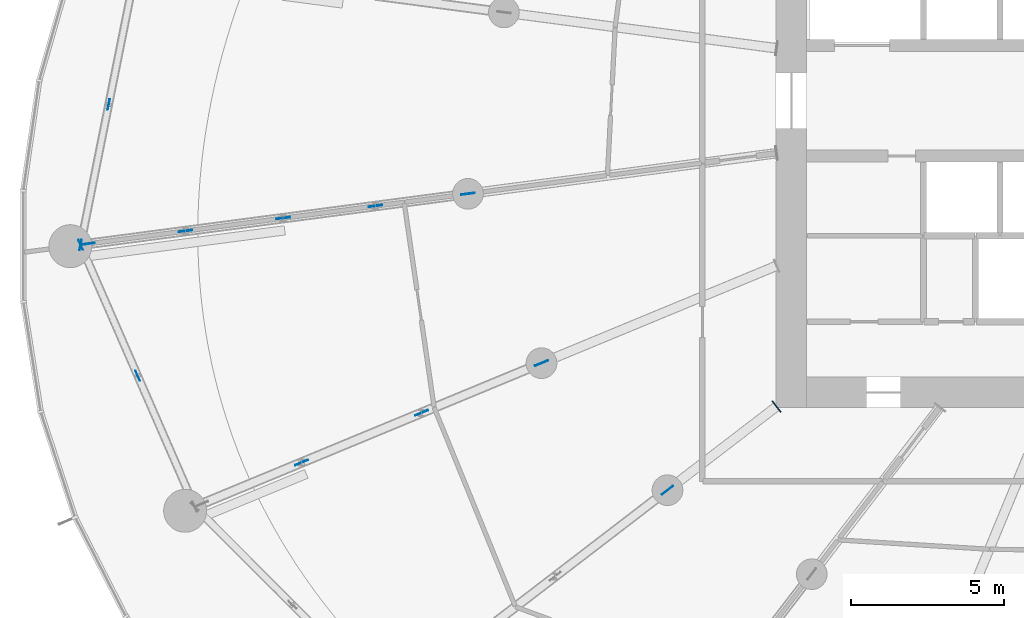
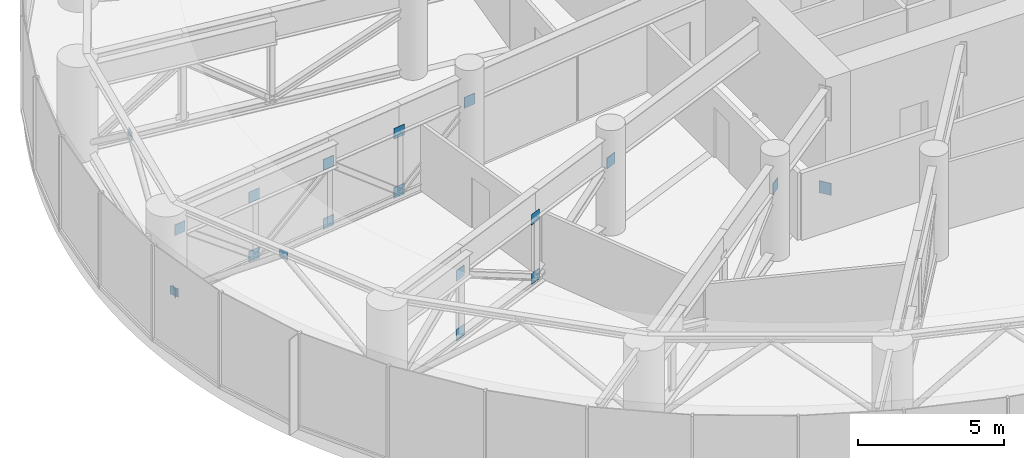
# One storey, part 28 of 42: 19 discrete accessories.
"""IFC4 building model written with IfcOpenShell, lengths in metres."""

import ifcopenshell
import ifcopenshell.guid

model = None  # the IFC model being written
_history = None  # IfcOwnerHistory: only IFC2X3 demands one
_inside = {}  # id of a spatial element -> (the spatial element, [elements in it])
_under = {}  # id of a project, library or spatial element -> (it, [spatial elements below it])
_declared = {}  # id of a project -> (the project, [libraries it declares])
_typed = {}  # id of a type object -> (the type object, [elements of that type])
_made_of = {}  # id of a material, layer set ... -> (it, [elements and type objects made of it])


def new_model(schema):
    """Start an empty IFC model of exactly this schema.

    Asked for "IFC4X3", IfcOpenShell would pick the latest addendum, in which some entities
    have other attributes; the version numbers below select the first issue.
    IFC2X3 requires an IfcOwnerHistory on every rooted entity: one is made here for all.
    """
    global model, _history
    if schema == "IFC4X3":
        model = ifcopenshell.file(schema_version=(4, 3, 0, 0))
    else:
        model = ifcopenshell.file(schema=schema)
    _inside.clear()
    _under.clear()
    _declared.clear()
    _typed.clear()
    _made_of.clear()
    _history = None
    if model.schema == "IFC2X3":
        org = make("IfcOrganization", Name="unknown")
        user = make(
            "IfcPersonAndOrganization",
            ThePerson=make("IfcPerson", FamilyName="unknown"),
            TheOrganization=org,
        )
        app = make(
            "IfcApplication",
            ApplicationDeveloper=org,
            Version="unknown",
            ApplicationFullName="unknown",
            ApplicationIdentifier="unknown",
        )
        _history = make(
            "IfcOwnerHistory",
            OwningUser=user,
            OwningApplication=app,
            ChangeAction="ADDED",
            CreationDate=0,
        )
    return model


def make(cls, **values):
    """One entity of the class cls with the attributes given. An attribute that is None is left unset."""
    return model.create_entity(
        cls, **{name: value for name, value in values.items() if value is not None}
    )


def rooted(cls, **values):
    """An entity with a GlobalId (a new one), such as an element, a storey or a relation."""
    return make(cls, GlobalId=ifcopenshell.guid.new(), OwnerHistory=_history, **values)


def si_unit(unit_type, name, prefix=None):
    """IfcSIUnit, for example si_unit("LENGTHUNIT", "METRE", prefix="MILLI")."""
    return make("IfcSIUnit", UnitType=unit_type, Prefix=prefix, Name=name)


def assignment(units):
    """IfcUnitAssignment: the units of a project."""
    return None if units is None else make("IfcUnitAssignment", Units=units)


def point(xyz):
    """IfcCartesianPoint."""
    return None if xyz is None else make("IfcCartesianPoint", Coordinates=xyz)


def direction(xyz):
    """IfcDirection."""
    return None if xyz is None else make("IfcDirection", DirectionRatios=xyz)


def frame(location, z_axis=None, x_axis=None):
    """IfcAxis2Placement3D, a coordinate frame: its origin and axes. An axis left out is left unset."""
    return make(
        "IfcAxis2Placement3D",
        Location=point(location),
        Axis=direction(z_axis),
        RefDirection=direction(x_axis),
    )


def frame_2d(location, x_axis=None):
    """IfcAxis2Placement2D, a coordinate frame in the plane: its origin and x axis."""
    return make(
        "IfcAxis2Placement2D", Location=point(location), RefDirection=direction(x_axis)
    )


def origin():
    """The frame at (0, 0, 0) with its axes left unset."""
    return frame((0.0, 0.0, 0.0))


def origin_2d():
    """The frame at (0, 0) in the plane with its x axis left unset."""
    return frame_2d((0.0, 0.0))


def place(relative_to, where):
    """IfcLocalPlacement: puts the frame where relative to a parent placement (None: the world)."""
    return make(
        "IfcLocalPlacement", PlacementRelTo=relative_to, RelativePlacement=where
    )


def context(
    kind, dimensions, precision=None, world=None, true_north=None, identifier=None
):
    """IfcGeometricRepresentationContext, for example the 3D "Model" context."""
    return make(
        "IfcGeometricRepresentationContext",
        ContextIdentifier=identifier,
        ContextType=kind,
        CoordinateSpaceDimension=dimensions,
        Precision=precision,
        WorldCoordinateSystem=world,
        TrueNorth=true_north,
    )


def subcontext(parent, identifier, kind, view, scale=None):
    """IfcGeometricRepresentationSubContext, for example "Body" below "Model"."""
    return make(
        "IfcGeometricRepresentationSubContext",
        ContextIdentifier=identifier,
        ContextType=kind,
        ParentContext=parent,
        TargetScale=scale,
        TargetView=view,
    )


def project(units=None, contexts=None):
    """IfcProject with its units and contexts."""
    return rooted(
        "IfcProject",
        Name="project",
        RepresentationContexts=contexts,
        UnitsInContext=assignment(units),
    )


def spatial(cls, under=None, at=None, **own):
    """A site, building, storey or space (cls), placed at a placement, below another one or the project."""
    s = rooted(cls, ObjectPlacement=at, **own)
    if under is not None:
        _under.setdefault(under.id(), (under, []))[1].append(s)
    return s


def profile(cls, at=None, kind="AREA", **sizes):
    """A parametric profile (cls). Its sizes go by their IFC names, for example OverallWidth=200.0."""
    return make(cls, ProfileType=kind, Position=at, **sizes)


def rectangle(**sizes):
    """IfcRectangleProfileDef."""
    return profile("IfcRectangleProfileDef", **sizes)


def extrude(swept, where, along, depth):
    """IfcExtrudedAreaSolid: the profile swept, set in the frame where, extruded along a direction by depth."""
    return make(
        "IfcExtrudedAreaSolid",
        SweptArea=swept,
        Position=where,
        ExtrudedDirection=direction(along),
        Depth=depth,
    )


def shape(context_of_items, identifier, shape_type, items):
    """IfcShapeRepresentation: the items that make up one representation, for example the "Body"."""
    return make(
        "IfcShapeRepresentation",
        ContextOfItems=context_of_items,
        RepresentationIdentifier=identifier,
        RepresentationType=shape_type,
        Items=items,
    )


def source(mapping_origin, context_of_items, identifier, shape_type, items):
    """IfcRepresentationMap: a shape defined once, which mapped items show again and again."""
    return make(
        "IfcRepresentationMap",
        MappingOrigin=mapping_origin,
        MappedRepresentation=shape(context_of_items, identifier, shape_type, items),
    )


def transform(
    local_origin,
    x_axis=None,
    y_axis=None,
    z_axis=None,
    scale=None,
    scale2=None,
    scale3=None,
    uniform=True,
):
    """IfcCartesianTransformationOperator3D, or its non-uniform kind. x_axis, y_axis, z_axis: its Axis1, 2, 3."""
    if uniform:
        return make(
            "IfcCartesianTransformationOperator3D",
            Axis1=direction(x_axis),
            Axis2=direction(y_axis),
            LocalOrigin=point(local_origin),
            Scale=scale,
            Axis3=direction(z_axis),
        )
    return make(
        "IfcCartesianTransformationOperator3DnonUniform",
        Axis1=direction(x_axis),
        Axis2=direction(y_axis),
        LocalOrigin=point(local_origin),
        Scale=scale,
        Axis3=direction(z_axis),
        Scale2=scale2,
        Scale3=scale3,
    )


def mapped(mapping_source, mapping_target):
    """IfcMappedItem: shows the shape of a source again, moved by a transform."""
    return make(
        "IfcMappedItem", MappingSource=mapping_source, MappingTarget=mapping_target
    )


def material(Name=None, Category=None):
    """IfcMaterial."""
    return make("IfcMaterial", Name=Name, Category=Category)


def layer(
    of_material, thickness, ventilated=None, Name=None, Category=None, Priority=None
):
    """IfcMaterialLayer: one layer of a wall or slab, of a material (None: an air gap)."""
    return make(
        "IfcMaterialLayer",
        Material=of_material,
        LayerThickness=thickness,
        IsVentilated=ventilated,
        Name=Name,
        Category=Category,
        Priority=Priority,
    )


def layer_set(layers, Name=None):
    """IfcMaterialLayerSet."""
    return make("IfcMaterialLayerSet", MaterialLayers=layers, LayerSetName=Name)


def made_of(thing, what):
    """Note that an element or type object is made of a material, layer set ...; save() writes the relation."""
    if what is not None:
        _made_of.setdefault(what.id(), (what, []))[1].append(thing)
    return thing


def type_object(cls, material=None, **own):
    """A type object (cls), such as IfcWallType, which elements share."""
    return made_of(rooted(cls, **own), material)


def element(
    cls,
    number,
    at=None,
    inside=None,
    cuts=None,
    type_object=None,
    material=None,
    context=None,
    identifier="Body",
    shape_type=None,
    held_by="IfcProductDefinitionShape",
    body=None,
    shapes=None,
    **own,
):
    """One element of the class cls, such as IfcWall. Its Tag is "e" and its number.

    at: its placement. inside: the storey or other place that contains it. cuts: it is an
    opening in that element (IfcRelVoidsElement). A single representation is given by context,
    identifier, shape_type and body (its items); several are given by shapes. held_by: the class
    of the entity that holds the representations. save() writes the other relations.
    """
    e = rooted(cls, Tag="e%d" % number, ObjectPlacement=at, **own)
    if body is not None:
        shapes = [shape(context, identifier, shape_type, body)]
    if shapes is not None:
        e.Representation = make(held_by, Representations=shapes)
    if inside is not None:
        _inside.setdefault(inside.id(), (inside, []))[1].append(e)
    if cuts is not None:
        rooted(
            "IfcRelVoidsElement", RelatingBuildingElement=cuts, RelatedOpeningElement=e
        )
    if type_object is not None:
        _typed.setdefault(type_object.id(), (type_object, []))[1].append(e)
    return made_of(e, material)


def aggregate(whole, parts):
    """IfcRelAggregates: a whole, such as a stair, and the parts it consists of."""
    return rooted("IfcRelAggregates", RelatingObject=whole, RelatedObjects=parts)


def save(model, path):
    """Write the relations noted so far, then the file.

    IfcRelAggregates (storeys below a building ...), IfcRelContainedInSpatialStructure (elements
    in a storey), IfcRelDefinesByType, IfcRelAssociatesMaterial and IfcRelDeclares: one each for
    every whole, place, type object, material and project.
    """
    for whole, parts in _under.values():
        aggregate(whole, parts)
    for where, things in _inside.values():
        rooted(
            "IfcRelContainedInSpatialStructure",
            RelatedElements=things,
            RelatingStructure=where,
        )
    for kind, things in _typed.values():
        rooted("IfcRelDefinesByType", RelatedObjects=things, RelatingType=kind)
    for what, things in _made_of.values():
        rooted("IfcRelAssociatesMaterial", RelatedObjects=things, RelatingMaterial=what)
    for by, libraries in _declared.values():
        rooted("IfcRelDeclares", RelatingContext=by, RelatedDefinitions=libraries)
    model.write(path)


model = new_model("IFC4")

# Units and contexts
model_context = context("Model", 3, precision=1e-05, world=origin(), true_north=direction((0.0, 1.0)))
body_context = subcontext(model_context, "Body", "Model", "MODEL_VIEW")
ifc_project = project(units=[si_unit("LENGTHUNIT", "METRE"), si_unit("AREAUNIT", "SQUARE_METRE"), si_unit("VOLUMEUNIT", "CUBIC_METRE"), si_unit("PLANEANGLEUNIT", "RADIAN"), si_unit("MASSUNIT", "GRAM", prefix="KILO")], contexts=[model_context])

# Site, building, storey
site_placement = place(None, origin())
site = spatial("IfcSite", under=ifc_project, at=site_placement, CompositionType="ELEMENT")
building_placement = place(site_placement, origin())
building = spatial("IfcBuilding", under=site, at=building_placement, Name="Spindrift Exchange Tower", CompositionType="ELEMENT")
storey_placement = place(building_placement, frame((0.0, 0.0, 75.39990234375)))
storey = spatial("IfcBuildingStorey", under=building, at=storey_placement, Name="L17", CompositionType="ELEMENT", Elevation=75.39990234375)

# Discrete accessories
ifc_material = material(Name="Steel Grade 350", Category="steel")
ifc_layer_1 = layer(ifc_material, 0.031982421875)
ifc_layer_set_1 = layer_set([ifc_layer_1], Name="Cast-in plate 450x500x32 Steel Grade 350")
discrete_accessory_type_1 = type_object("IfcDiscreteAccessoryType", Name="Cast-in plate 450x500x32 Steel Grade 350", PredefinedType="USERDEFINED", material=ifc_layer_set_1)
shared_shape_1 = source(origin(), body_context, "Body", "SweptSolid", [
    extrude(rectangle(XDim=0.031982421875, YDim=0.449951171875, at=origin_2d()), origin(), (0.0, 0.0, 1.0), 0.5),
])
discrete_accessory_placement = place(storey_placement, frame((39.015869140625, 38.036865234375, -0.413330078125), z_axis=(0.0, 0.0, 1.0), x_axis=(-0.793353340291, -0.608761429009, 0.0)))
element("IfcDiscreteAccessory", 1, at=discrete_accessory_placement, inside=storey, type_object=discrete_accessory_type_1, Name="L17 cast-in plate CP2 15", ObjectType="Cast-in plate", PredefinedType="USERDEFINED", context=body_context, shape_type="MappedRepresentation", body=[
    mapped(shared_shape_1, transform((0.0, 0.0, 0.0), scale=1.0)),
])
ifc_layer_2 = layer(ifc_material, 0.02490234375)
ifc_layer_set_2 = layer_set([ifc_layer_2], Name="Gusset plate 450x450x25 Steel Grade 350")
discrete_accessory_type_2 = type_object("IfcDiscreteAccessoryType", Name="Gusset plate 450x450x25 Steel Grade 350", PredefinedType="USERDEFINED", material=ifc_layer_set_2)
shared_shape_2 = source(origin(), body_context, "Body", "SweptSolid", [
    extrude(rectangle(XDim=0.449951171875, YDim=0.02490234375, at=origin_2d()), origin(), (0.0, 0.0, 1.0), 0.449951171875),
])
for number, where, z_axis, x_axis, name in (
    (2, (28.966064453125, 44.967529296875, 2.5751953125), (0.0, 0.0, 1.0), (-0.991446228187, -0.130515809827, 0.0), "L17 gusset plate GP1 13"),
    (3, (25.954833984375, 44.571044921875, 0.10205078125), (0.0, 0.0, 1.0), (-0.991446228187, -0.130515809827, 0.0), "L17 gusset plate GP1 13"),
    (4, (22.943603515625, 44.1748046875, 2.5751953125), (0.0, 0.0, 1.0), (-0.991446228187, -0.130515809827, 0.0), "L17 gusset plate GP1 13"),
    (5, (19.76416015625, 43.756103515625, 0.10205078125), (0.0, 0.0, 1.0), (-0.991444405745, -0.130529653015, 0.0), "L17 gusset plate GP1 13"),
    (6, (16.584716796875, 43.33740234375, 2.5751953125), (0.0, 0.0, 1.0), (-0.991444861374, -0.13052619222, 0.0), "L17 gusset plate GP1 13"),
    (7, (25.954833984375, 44.571044921875, 2.5751953125), (0.0, 0.0, 1.0), (-0.991444861374, -0.13052619222, 0.0), "L17 gusset plate GP1 13"),
    (8, (22.943603515625, 44.1748046875, 0.10205078125), (0.0, 0.0, 1.0), (-0.991444861374, -0.13052619222, 0.0), "L17 gusset plate GP1 13"),
    (9, (19.76416015625, 43.756103515625, 2.5751953125), (0.0, 0.0, 1.0), (-0.991444861374, -0.13052619222, 0.0), "L17 gusset plate GP1 13"),
    (10, (31.360595703125, 39.450927734375, 2.5751953125), (0.0, 0.0, 1.0), (-0.923878864601, -0.382685044838, 0.0), "L17 gusset plate GP1 14"),
    (11, (27.45263671875, 37.83203125, 0.10205078125), (0.0, 0.0, 1.0), (-0.923878864601, -0.382685044838, 0.0), "L17 gusset plate GP1 14"),
    (12, (23.54443359375, 36.21337890625, 2.5751953125), (0.0, 0.0, 1.0), (-0.923886879335, -0.382665695081, 0.0), "L17 gusset plate GP1 14"),
    (13, (27.45263671875, 37.83203125, 2.5751953125), (0.0, 0.0, 1.0), (-0.923879532511, -0.382683432365, 0.0), "L17 gusset plate GP1 14"),
    (14, (23.54443359375, 36.21337890625, 0.10205078125), (0.0, 0.0, 1.0), (-0.923879532511, -0.382683432365, 0.0), "L17 gusset plate GP1 14"),
    (15, (35.465087890625, 35.3125, 2.5751953125), (0.0, 0.0, 1.0), (-0.793351215308, -0.608764198331, 0.0), "L17 gusset plate GP1 15"),
):
    element("IfcDiscreteAccessory", number, at=place(storey_placement, frame(where, z_axis=z_axis, x_axis=x_axis)), inside=storey, type_object=discrete_accessory_type_2, Name=name, ObjectType="Gusset plate", PredefinedType="USERDEFINED", context=body_context, shape_type="MappedRepresentation", body=[
        mapped(shared_shape_2, transform((0.0, 0.0, 0.0), scale=1.0)),
    ])
ifc_layer_3 = layer(ifc_material, 0.02001953125)
ifc_layer_set_3 = layer_set([ifc_layer_3], Name="Gusset plate 350x350x20 Steel Grade 350")
discrete_accessory_type_3 = type_object("IfcDiscreteAccessoryType", Name="Gusset plate 350x350x20 Steel Grade 350", PredefinedType="USERDEFINED", material=ifc_layer_set_3)
shared_shape_3 = source(origin(), body_context, "Body", "SweptSolid", [
    extrude(rectangle(XDim=0.35009765625, YDim=0.02001953125, at=origin_2d()), origin(), (0.0, 0.0, 1.0), 0.35009765625),
])
for number, where, z_axis, x_axis, name in (
    (16, (17.26123046875, 47.879638671875, 3.56494140625), (0.0, 0.0, 1.0), (-0.196100176415, -0.980583867301, 0.0), "L17 gusset plate GP2 12"),
    (17, (16.3466796875, 43.30615234375, 0.0849609375), (0.0, 0.0, 1.0), (-0.196100176415, -0.980583867301, 0.0), "L17 gusset plate GP2 12"),
    (18, (16.3466796875, 43.30615234375, 0.0849609375), (0.0, 0.0, 1.0), (0.399464403086, -0.91674870639, 0.0), "L17 gusset plate GP2 13"),
    (19, (18.2060546875, 39.039306640625, 3.56494140625), (0.0, 0.0, 1.0), (0.399464403086, -0.91674870639, 0.0), "L17 gusset plate GP2 13"),
):
    element("IfcDiscreteAccessory", number, at=place(storey_placement, frame(where, z_axis=z_axis, x_axis=x_axis)), inside=storey, type_object=discrete_accessory_type_3, Name=name, ObjectType="Gusset plate", PredefinedType="USERDEFINED", context=body_context, shape_type="MappedRepresentation", body=[
        mapped(shared_shape_3, transform((0.0, 0.0, 0.0), scale=1.0)),
    ])

save(model, "model.ifc")
